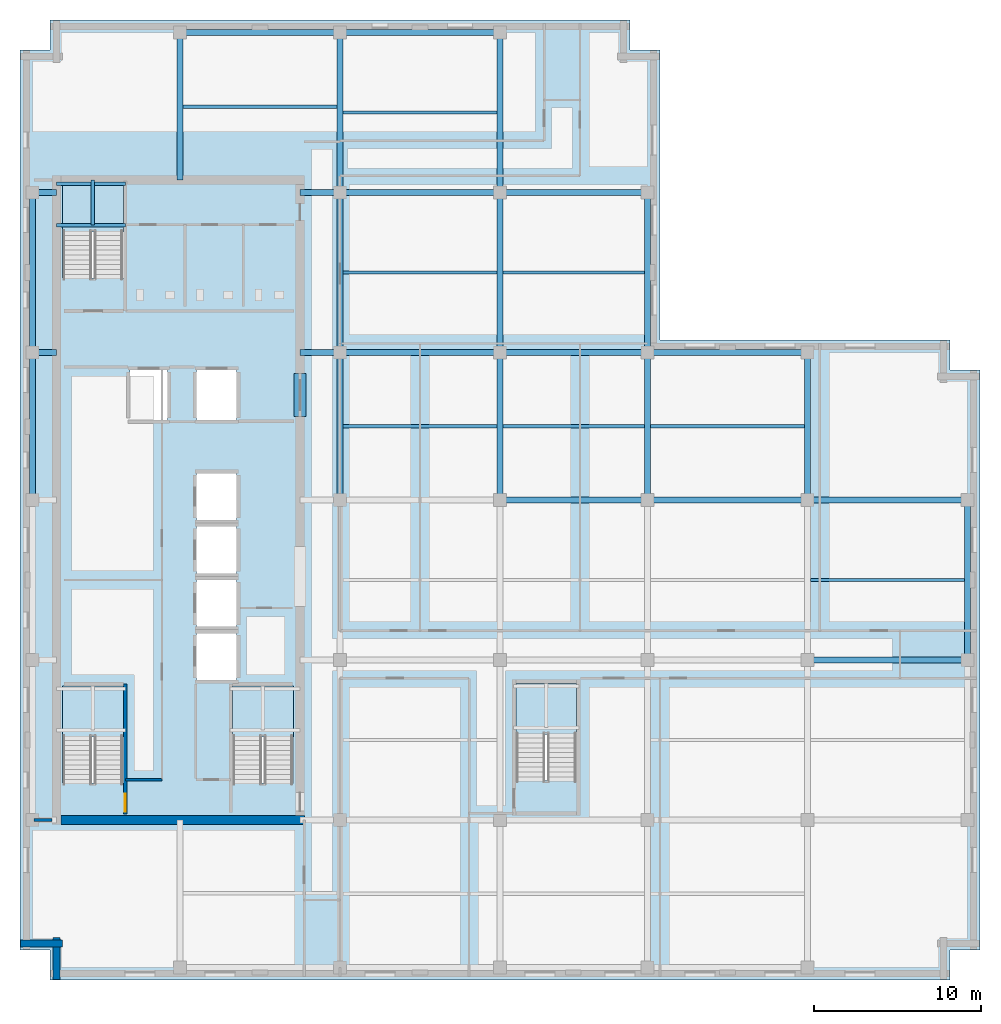
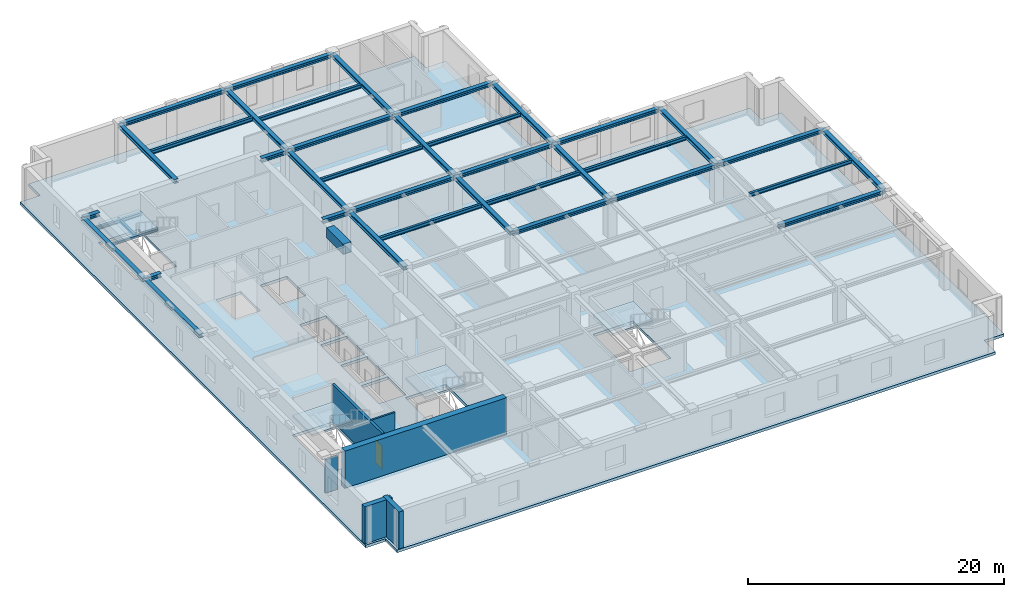
# One storey, part 2 of 10: 40 beams, 6 walls, 5 slabs, 1 door, 1 opening, 4 elements without a shape of their own.
"""IFC4 building model written with IfcOpenShell, lengths in metres."""

from ifc_helpers import new_model, si_unit, direction, frame, frame_2d, origin, origin_2d, place, context, subcontext, project, spatial, polyline, rectangle, i_section, outline, extrude, material, layer, layer_set, material_profile, profile_set, type_object, element, fill, aggregate, save


model = new_model("IFC4")

# Units and contexts
model_context = context("Model", 3, precision=1e-05, world=origin(), true_north=direction((0.0, 1.0)))
body_context = subcontext(model_context, "Body", "Model", "MODEL_VIEW")
ifc_project = project(units=[si_unit("LENGTHUNIT", "METRE"), si_unit("AREAUNIT", "SQUARE_METRE"), si_unit("VOLUMEUNIT", "CUBIC_METRE"), si_unit("PLANEANGLEUNIT", "RADIAN"), si_unit("MASSUNIT", "GRAM", prefix="KILO")], contexts=[model_context])

# Site, building, storey
site_placement = place(None, origin())
site = spatial("IfcSite", under=ifc_project, at=site_placement, CompositionType="ELEMENT")
building_placement = place(site_placement, origin())
building = spatial("IfcBuilding", under=site, at=building_placement, Name="Norrvale University Quadrangle", CompositionType="ELEMENT")
storey_placement = place(building_placement, frame((0.0, 0.0, 229.39990234375)))
storey = spatial("IfcBuildingStorey", under=building, at=storey_placement, Name="L58", CompositionType="ELEMENT", Elevation=229.39990234375)

# Beams
ifc_material_1 = material(Name="Concrete C80/95", Category="concrete")
ifc_material_profile_1 = material_profile(ifc_material_1, rectangle(XDim=0.699951171875, YDim=0.949951171875, at=origin_2d()), Name="Concrete C80/95")
ifc_profile_set_1 = profile_set([ifc_material_profile_1], Name="Concrete C80/95")
beam_type_1 = type_object("IfcBeamType", Name="Beam Core Link 700x950", PredefinedType="LINTEL", material=ifc_profile_set_1)
beam_1_placement = place(storey_placement, frame((16.800048828125, 33.800048828125, 3.065185546875), z_axis=(0.0, 1.0, 0.0), x_axis=(-1.0, 0.0, 0.0)))
element("IfcBeam", 1, at=beam_1_placement, inside=storey, type_object=beam_type_1, Name="Core Coupling Lintel Beam L58-2", PredefinedType="LINTEL", context=body_context, shape_type="SweptSolid", body=[
    extrude(rectangle(XDim=0.699951171875, YDim=0.949951171875, at=origin_2d()), origin(), (0.0, 0.0, 1.0), 2.599853515625),
])
ifc_material_2 = material(Name="Steel 350W", Category="steel")
ifc_material_profile_2 = material_profile(ifc_material_2, i_section(OverallWidth=0.368896484375, OverallDepth=0.35595703125, WebThickness=0.01123046875, FlangeThickness=0.01806640625, FilletRadius=0.014892578125, at=origin_2d()), Name="Steel 350W")
ifc_profile_set_2 = profile_set([ifc_material_profile_2], Name="Steel 350W")
beam_type_2 = type_object("IfcBeamType", Name="Beam Crown W360x134", PredefinedType="BEAM", material=ifc_profile_set_2)
beam_2_placement = place(storey_placement, frame((47.25, 19.199951171875, 3.362060546875), z_axis=(1.0, 0.0, 0.0), x_axis=(0.0, 1.0, 0.0)))
element("IfcBeam", 2, at=beam_2_placement, inside=storey, type_object=beam_type_2, Name="Beam Crown W360x134 BM-L58-GX012", PredefinedType="BEAM", context=body_context, shape_type="SweptSolid", body=[
    extrude(i_section(OverallWidth=0.368896484375, OverallDepth=0.35595703125, WebThickness=0.01123046875, FlangeThickness=0.01806640625, FilletRadius=0.014892578125, at=origin_2d()), origin(), (0.0, 0.0, 1.0), 9.60009765625),
])
beam_3_placement = place(storey_placement, frame((28.800048828125, 28.800048828125, 3.362060546875), z_axis=(1.0, 0.0, 0.0), x_axis=(0.0, 1.0, 0.0)))
element("IfcBeam", 3, at=beam_3_placement, inside=storey, type_object=beam_type_2, Name="Beam Crown W360x134 BM-L58-GX014", PredefinedType="BEAM", context=body_context, shape_type="SweptSolid", body=[
    extrude(i_section(OverallWidth=0.368896484375, OverallDepth=0.35595703125, WebThickness=0.01123046875, FlangeThickness=0.01806640625, FilletRadius=0.014892578125, at=origin_2d()), origin(), (0.0, 0.0, 1.0), 8.849853515625),
])
for number, where, z_axis, x_axis, name in (
    (4, (37.64990234375, 28.800048828125, 3.362060546875), (1.0, 0.0, 0.0), (0.0, 1.0, 0.0), "Beam Crown W360x134 BM-L58-GX015"),
    (5, (47.25, 28.800048828125, 3.362060546875), (1.0, 0.0, 0.0), (0.0, 1.0, 0.0), "Beam Crown W360x134 BM-L58-GX016"),
    (6, (19.199951171875, 37.64990234375, 3.362060546875), (1.0, 0.0, 0.0), (0.0, 1.0, 0.0), "Beam Crown W360x134 BM-L58-GX017"),
):
    element("IfcBeam", number, at=place(storey_placement, frame(where, z_axis=z_axis, x_axis=x_axis)), inside=storey, type_object=beam_type_2, Name=name, PredefinedType="BEAM", context=body_context, shape_type="SweptSolid", body=[
        extrude(i_section(OverallWidth=0.368896484375, OverallDepth=0.35595703125, WebThickness=0.01123046875, FlangeThickness=0.01806640625, FilletRadius=0.014892578125, at=origin_2d()), origin(), (0.0, 0.0, 1.0), 9.60009765625),
    ])
beam_4_placement = place(storey_placement, frame((28.800048828125, 37.64990234375, 3.362060546875), z_axis=(1.0, 0.0, 0.0), x_axis=(0.0, 1.0, 0.0)))
element("IfcBeam", 7, at=beam_4_placement, inside=storey, type_object=beam_type_2, Name="Beam Crown W360x134 BM-L58-GX018", PredefinedType="BEAM", context=body_context, shape_type="SweptSolid", body=[
    extrude(i_section(OverallWidth=0.368896484375, OverallDepth=0.35595703125, WebThickness=0.01123046875, FlangeThickness=0.01806640625, FilletRadius=0.014892578125, at=origin_2d()), origin(), (0.0, 0.0, 1.0), 8.849853515625),
])
for number, where, z_axis, x_axis, name in (
    (8, (37.64990234375, 37.64990234375, 3.362060546875), (1.0, 0.0, 0.0), (0.0, 1.0, 0.0), "Beam Crown W360x134 BM-L58-GX019"),
    (9, (19.199951171875, 47.25, 3.362060546875), (1.0, 0.0, 0.0), (0.0, 1.0, 0.0), "Beam Crown W360x134 BM-L58-GX020"),
):
    element("IfcBeam", number, at=place(storey_placement, frame(where, z_axis=z_axis, x_axis=x_axis)), inside=storey, type_object=beam_type_2, Name=name, PredefinedType="BEAM", context=body_context, shape_type="SweptSolid", body=[
        extrude(i_section(OverallWidth=0.368896484375, OverallDepth=0.35595703125, WebThickness=0.01123046875, FlangeThickness=0.01806640625, FilletRadius=0.014892578125, at=origin_2d()), origin(), (0.0, 0.0, 1.0), 9.60009765625),
    ])
beam_5_placement = place(storey_placement, frame((28.800048828125, 47.25, 3.362060546875), z_axis=(1.0, 0.0, 0.0), x_axis=(0.0, 1.0, 0.0)))
element("IfcBeam", 10, at=beam_5_placement, inside=storey, type_object=beam_type_2, Name="Beam Crown W360x134 BM-L58-GX021", PredefinedType="BEAM", context=body_context, shape_type="SweptSolid", body=[
    extrude(i_section(OverallWidth=0.368896484375, OverallDepth=0.35595703125, WebThickness=0.01123046875, FlangeThickness=0.01806640625, FilletRadius=0.014892578125, at=origin_2d()), origin(), (0.0, 0.0, 1.0), 8.849853515625),
])
beam_6_placement = place(storey_placement, frame((9.60009765625, 56.85009765625, 3.362060546875), z_axis=(1.0, 0.0, 0.0), x_axis=(0.0, 1.0, 0.0)))
element("IfcBeam", 11, at=beam_6_placement, inside=storey, type_object=beam_type_2, Name="Beam Crown W360x134 BM-L58-GX022", PredefinedType="BEAM", context=body_context, shape_type="SweptSolid", body=[
    extrude(i_section(OverallWidth=0.368896484375, OverallDepth=0.35595703125, WebThickness=0.01123046875, FlangeThickness=0.01806640625, FilletRadius=0.014892578125, at=origin_2d()), origin(), (0.0, 0.0, 1.0), 9.599853515625),
])
beam_7_placement = place(storey_placement, frame((19.199951171875, 56.85009765625, 3.362060546875), z_axis=(1.0, 0.0, 0.0), x_axis=(0.0, 1.0, 0.0)))
element("IfcBeam", 12, at=beam_7_placement, inside=storey, type_object=beam_type_2, Name="Beam Crown W360x134 BM-L58-GX023", PredefinedType="BEAM", context=body_context, shape_type="SweptSolid", body=[
    extrude(i_section(OverallWidth=0.368896484375, OverallDepth=0.35595703125, WebThickness=0.01123046875, FlangeThickness=0.01806640625, FilletRadius=0.014892578125, at=origin_2d()), origin(), (0.0, 0.0, 1.0), 9.60009765625),
])
beam_8_placement = place(storey_placement, frame((0.75, 28.800048828125, 3.362060546875), z_axis=(0.0, 1.0, 0.0), x_axis=(-1.0, 0.0, 0.0)))
element("IfcBeam", 13, at=beam_8_placement, inside=storey, type_object=beam_type_2, Name="Beam Crown W360x134 BM-L58-GY026", PredefinedType="BEAM", context=body_context, shape_type="SweptSolid", body=[
    extrude(i_section(OverallWidth=0.368896484375, OverallDepth=0.35595703125, WebThickness=0.01123046875, FlangeThickness=0.01806640625, FilletRadius=0.014892578125, at=origin_2d()), origin(), (0.0, 0.0, 1.0), 8.849853515625),
])
beam_9_placement = place(storey_placement, frame((0.75, 37.64990234375, 3.362060546875), z_axis=(0.0, 1.0, 0.0), x_axis=(-1.0, 0.0, 0.0)))
element("IfcBeam", 14, at=beam_9_placement, inside=storey, type_object=beam_type_2, Name="Beam Crown W360x134 BM-L58-GY027", PredefinedType="BEAM", context=body_context, shape_type="SweptSolid", body=[
    extrude(i_section(OverallWidth=0.368896484375, OverallDepth=0.35595703125, WebThickness=0.01123046875, FlangeThickness=0.01806640625, FilletRadius=0.014892578125, at=origin_2d()), origin(), (0.0, 0.0, 1.0), 9.60009765625),
])
beam_10_placement = place(storey_placement, frame((19.199951171875, 28.800048828125, 3.362060546875), z_axis=(0.0, 1.0, 0.0), x_axis=(-1.0, 0.0, 0.0)))
element("IfcBeam", 15, at=beam_10_placement, inside=storey, type_object=beam_type_2, Name="Beam Crown W360x134 BM-L58-GY031", PredefinedType="BEAM", context=body_context, shape_type="SweptSolid", body=[
    extrude(i_section(OverallWidth=0.368896484375, OverallDepth=0.35595703125, WebThickness=0.01123046875, FlangeThickness=0.01806640625, FilletRadius=0.014892578125, at=origin_2d()), origin(), (0.0, 0.0, 1.0), 8.849853515625),
])
for number, where, z_axis, x_axis, name in (
    (16, (19.199951171875, 37.64990234375, 3.362060546875), (0.0, 1.0, 0.0), (-1.0, 0.0, 0.0), "Beam Crown W360x134 BM-L58-GY032"),
    (17, (19.199951171875, 47.25, 3.362060546875), (0.0, 1.0, 0.0), (-1.0, 0.0, 0.0), "Beam Crown W360x134 BM-L58-GY033"),
):
    element("IfcBeam", number, at=place(storey_placement, frame(where, z_axis=z_axis, x_axis=x_axis)), inside=storey, type_object=beam_type_2, Name=name, PredefinedType="BEAM", context=body_context, shape_type="SweptSolid", body=[
        extrude(i_section(OverallWidth=0.368896484375, OverallDepth=0.35595703125, WebThickness=0.01123046875, FlangeThickness=0.01806640625, FilletRadius=0.014892578125, at=origin_2d()), origin(), (0.0, 0.0, 1.0), 9.60009765625),
    ])
beam_11_placement = place(storey_placement, frame((28.800048828125, 28.800048828125, 3.362060546875), z_axis=(0.0, 1.0, 0.0), x_axis=(-1.0, 0.0, 0.0)))
element("IfcBeam", 18, at=beam_11_placement, inside=storey, type_object=beam_type_2, Name="Beam Crown W360x134 BM-L58-GY037", PredefinedType="BEAM", context=body_context, shape_type="SweptSolid", body=[
    extrude(i_section(OverallWidth=0.368896484375, OverallDepth=0.35595703125, WebThickness=0.01123046875, FlangeThickness=0.01806640625, FilletRadius=0.014892578125, at=origin_2d()), origin(), (0.0, 0.0, 1.0), 8.849853515625),
])
for number, where, z_axis, x_axis, name in (
    (19, (28.800048828125, 37.64990234375, 3.362060546875), (0.0, 1.0, 0.0), (-1.0, 0.0, 0.0), "Beam Crown W360x134 BM-L58-GY038"),
    (20, (28.800048828125, 47.25, 3.362060546875), (0.0, 1.0, 0.0), (-1.0, 0.0, 0.0), "Beam Crown W360x134 BM-L58-GY039"),
):
    element("IfcBeam", number, at=place(storey_placement, frame(where, z_axis=z_axis, x_axis=x_axis)), inside=storey, type_object=beam_type_2, Name=name, PredefinedType="BEAM", context=body_context, shape_type="SweptSolid", body=[
        extrude(i_section(OverallWidth=0.368896484375, OverallDepth=0.35595703125, WebThickness=0.01123046875, FlangeThickness=0.01806640625, FilletRadius=0.014892578125, at=origin_2d()), origin(), (0.0, 0.0, 1.0), 9.60009765625),
    ])
beam_12_placement = place(storey_placement, frame((37.64990234375, 28.800048828125, 3.362060546875), z_axis=(0.0, 1.0, 0.0), x_axis=(-1.0, 0.0, 0.0)))
element("IfcBeam", 21, at=beam_12_placement, inside=storey, type_object=beam_type_2, Name="Beam Crown W360x134 BM-L58-GY043", PredefinedType="BEAM", context=body_context, shape_type="SweptSolid", body=[
    extrude(i_section(OverallWidth=0.368896484375, OverallDepth=0.35595703125, WebThickness=0.01123046875, FlangeThickness=0.01806640625, FilletRadius=0.014892578125, at=origin_2d()), origin(), (0.0, 0.0, 1.0), 8.849853515625),
])
beam_13_placement = place(storey_placement, frame((37.64990234375, 37.64990234375, 3.362060546875), z_axis=(0.0, 1.0, 0.0), x_axis=(-1.0, 0.0, 0.0)))
element("IfcBeam", 22, at=beam_13_placement, inside=storey, type_object=beam_type_2, Name="Beam Crown W360x134 BM-L58-GY044", PredefinedType="BEAM", context=body_context, shape_type="SweptSolid", body=[
    extrude(i_section(OverallWidth=0.368896484375, OverallDepth=0.35595703125, WebThickness=0.01123046875, FlangeThickness=0.01806640625, FilletRadius=0.014892578125, at=origin_2d()), origin(), (0.0, 0.0, 1.0), 9.60009765625),
])
beam_14_placement = place(storey_placement, frame((47.25, 28.800048828125, 3.362060546875), z_axis=(0.0, 1.0, 0.0), x_axis=(-1.0, 0.0, 0.0)))
element("IfcBeam", 23, at=beam_14_placement, inside=storey, type_object=beam_type_2, Name="Beam Crown W360x134 BM-L58-GY048", PredefinedType="BEAM", context=body_context, shape_type="SweptSolid", body=[
    extrude(i_section(OverallWidth=0.368896484375, OverallDepth=0.35595703125, WebThickness=0.01123046875, FlangeThickness=0.01806640625, FilletRadius=0.014892578125, at=origin_2d()), origin(), (0.0, 0.0, 1.0), 8.849853515625),
])
beam_15_placement = place(storey_placement, frame((56.85009765625, 19.199951171875, 3.362060546875), z_axis=(0.0, 1.0, 0.0), x_axis=(-1.0, 0.0, 0.0)))
element("IfcBeam", 24, at=beam_15_placement, inside=storey, type_object=beam_type_2, Name="Beam Crown W360x134 BM-L58-GY050", PredefinedType="BEAM", context=body_context, shape_type="SweptSolid", body=[
    extrude(i_section(OverallWidth=0.368896484375, OverallDepth=0.35595703125, WebThickness=0.01123046875, FlangeThickness=0.01806640625, FilletRadius=0.014892578125, at=origin_2d()), origin(), (0.0, 0.0, 1.0), 9.60009765625),
])
beam_16_placement = place(storey_placement, frame((0.75, 37.64990234375, 3.362060546875), z_axis=(1.0, 0.0, 0.0), x_axis=(0.0, 1.0, 0.0)))
element("IfcBeam", 25, at=beam_16_placement, inside=storey, type_object=beam_type_2, Name="Beam Crown W360x134 BM-L58-GCW057", PredefinedType="BEAM", context=body_context, shape_type="SweptSolid", body=[
    extrude(i_section(OverallWidth=0.368896484375, OverallDepth=0.35595703125, WebThickness=0.01123046875, FlangeThickness=0.01806640625, FilletRadius=0.014892578125, at=origin_2d()), origin(), (0.0, 0.0, 1.0), 1.449951171875),
])
beam_17_placement = place(storey_placement, frame((16.800048828125, 37.64990234375, 3.362060546875), z_axis=(1.0, 0.0, 0.0), x_axis=(0.0, 1.0, 0.0)))
element("IfcBeam", 26, at=beam_17_placement, inside=storey, type_object=beam_type_2, Name="Beam Crown W360x134 BM-L58-GCE058", PredefinedType="BEAM", context=body_context, shape_type="SweptSolid", body=[
    extrude(i_section(OverallWidth=0.368896484375, OverallDepth=0.35595703125, WebThickness=0.01123046875, FlangeThickness=0.01806640625, FilletRadius=0.014892578125, at=origin_2d()), origin(), (0.0, 0.0, 1.0), 2.39990234375),
])
beam_18_placement = place(storey_placement, frame((0.75, 47.25, 3.362060546875), z_axis=(1.0, 0.0, 0.0), x_axis=(0.0, 1.0, 0.0)))
element("IfcBeam", 27, at=beam_18_placement, inside=storey, type_object=beam_type_2, Name="Beam Crown W360x134 BM-L58-GCW059", PredefinedType="BEAM", context=body_context, shape_type="SweptSolid", body=[
    extrude(i_section(OverallWidth=0.368896484375, OverallDepth=0.35595703125, WebThickness=0.01123046875, FlangeThickness=0.01806640625, FilletRadius=0.014892578125, at=origin_2d()), origin(), (0.0, 0.0, 1.0), 1.449951171875),
])
beam_19_placement = place(storey_placement, frame((16.800048828125, 47.25, 3.362060546875), z_axis=(1.0, 0.0, 0.0), x_axis=(0.0, 1.0, 0.0)))
element("IfcBeam", 28, at=beam_19_placement, inside=storey, type_object=beam_type_2, Name="Beam Crown W360x134 BM-L58-GCE060", PredefinedType="BEAM", context=body_context, shape_type="SweptSolid", body=[
    extrude(i_section(OverallWidth=0.368896484375, OverallDepth=0.35595703125, WebThickness=0.01123046875, FlangeThickness=0.01806640625, FilletRadius=0.014892578125, at=origin_2d()), origin(), (0.0, 0.0, 1.0), 2.39990234375),
])
beam_20_placement = place(storey_placement, frame((9.60009765625, 48.0, 3.362060546875), z_axis=(0.0, 1.0, 0.0), x_axis=(-1.0, 0.0, 0.0)))
element("IfcBeam", 29, at=beam_20_placement, inside=storey, type_object=beam_type_2, Name="Beam Crown W360x134 BM-L58-GCN079", PredefinedType="BEAM", context=body_context, shape_type="SweptSolid", body=[
    extrude(i_section(OverallWidth=0.368896484375, OverallDepth=0.35595703125, WebThickness=0.01123046875, FlangeThickness=0.01806640625, FilletRadius=0.014892578125, at=origin_2d()), origin(), (0.0, 0.0, 1.0), 8.85009765625),
])
ifc_material_profile_3 = material_profile(ifc_material_2, i_section(OverallWidth=0.205078125, OverallDepth=0.35400390625, WebThickness=0.009521484375, FlangeThickness=0.016845703125, FilletRadius=0.011962890625, at=origin_2d()), Name="Steel 350W")
ifc_profile_set_3 = profile_set([ifc_material_profile_3], Name="Steel 350W")
beam_type_3 = type_object("IfcBeamType", Name="Beam Crown W360x79", PredefinedType="BEAM", material=ifc_profile_set_3)
for number, where, z_axis, x_axis, name in (
    (30, (19.384521484375, 33.22509765625, 3.363037109375), (1.0, 0.0, 0.0), (0.0, 1.0, 0.0), "Beam Crown W360x79 BM-L58-J064"),
    (31, (19.384521484375, 42.449951171875, 3.363037109375), (1.0, 0.0, 0.0), (0.0, 1.0, 0.0), "Beam Crown W360x79 BM-L58-J065"),
    (32, (19.384521484375, 52.050048828125, 3.363037109375), (1.0, 0.0, 0.0), (0.0, 1.0, 0.0), "Beam Crown W360x79 BM-L58-J066"),
):
    element("IfcBeam", number, at=place(storey_placement, frame(where, z_axis=z_axis, x_axis=x_axis)), inside=storey, type_object=beam_type_3, Name=name, PredefinedType="BEAM", context=body_context, shape_type="SweptSolid", body=[
        extrude(i_section(OverallWidth=0.205078125, OverallDepth=0.35400390625, WebThickness=0.009521484375, FlangeThickness=0.016845703125, FilletRadius=0.011962890625, at=origin_2d()), origin(), (0.0, 0.0, 1.0), 9.23095703125),
    ])
for number, where, z_axis, x_axis, name in (
    (33, (28.984619140625, 33.22509765625, 3.363037109375), (1.0, 0.0, 0.0), (0.0, 1.0, 0.0), "Beam Crown W360x79 BM-L58-J069"),
    (34, (28.984619140625, 42.449951171875, 3.363037109375), (1.0, 0.0, 0.0), (0.0, 1.0, 0.0), "Beam Crown W360x79 BM-L58-J070"),
):
    element("IfcBeam", number, at=place(storey_placement, frame(where, z_axis=z_axis, x_axis=x_axis)), inside=storey, type_object=beam_type_3, Name=name, PredefinedType="BEAM", context=body_context, shape_type="SweptSolid", body=[
        extrude(i_section(OverallWidth=0.205078125, OverallDepth=0.35400390625, WebThickness=0.009521484375, FlangeThickness=0.016845703125, FilletRadius=0.011962890625, at=origin_2d()), origin(), (0.0, 0.0, 1.0), 8.48095703125),
    ])
for number, where, z_axis, x_axis, name in (
    (35, (37.83447265625, 33.22509765625, 3.363037109375), (1.0, 0.0, 0.0), (0.0, 1.0, 0.0), "Beam Crown W360x79 BM-L58-J074"),
    (36, (47.4345703125, 24.0, 3.363037109375), (1.0, 0.0, 0.0), (0.0, 1.0, 0.0), "Beam Crown W360x79 BM-L58-J076"),
    (37, (9.784423828125, 52.39990234375, 3.363037109375), (1.0, 0.0, 0.0), (0.0, 1.0, 0.0), "Beam Crown W360x79 BM-L58-JCN080"),
):
    element("IfcBeam", number, at=place(storey_placement, frame(where, z_axis=z_axis, x_axis=x_axis)), inside=storey, type_object=beam_type_3, Name=name, PredefinedType="BEAM", context=body_context, shape_type="SweptSolid", body=[
        extrude(i_section(OverallWidth=0.205078125, OverallDepth=0.35400390625, WebThickness=0.009521484375, FlangeThickness=0.016845703125, FilletRadius=0.011962890625, at=origin_2d()), origin(), (0.0, 0.0, 1.0), 9.23095703125),
    ])
ifc_material_profile_4 = material_profile(ifc_material_2, i_section(OverallWidth=0.201904296875, OverallDepth=0.2470703125, WebThickness=0.00732421875, FlangeThickness=0.010986328125, FilletRadius=0.011962890625, at=origin_2d()), Name="Steel 350W")
ifc_profile_set_4 = profile_set([ifc_material_profile_4], Name="Steel 350W")
beam_type_4 = type_object("IfcBeamType", Name="Beam Stair W250x49", PredefinedType="BEAM", material=ifc_profile_set_4)
for number, where, z_axis, x_axis, name in (
    (38, (2.199951171875, 45.2900390625, 1.57666015625), (1.0, 0.0, 0.0), (0.0, 1.0, 0.0), "Stair Mid-Landing Front Beam ST-02 L58"),
    (39, (2.199951171875, 47.77001953125, 1.57666015625), (1.0, 0.0, 0.0), (0.0, 1.0, 0.0), "Stair Mid-Landing Rear Beam ST-02 L58"),
):
    element("IfcBeam", number, at=place(storey_placement, frame(where, z_axis=z_axis, x_axis=x_axis)), inside=storey, type_object=beam_type_4, Name=name, PredefinedType="BEAM", context=body_context, shape_type="SweptSolid", body=[
        extrude(i_section(OverallWidth=0.201904296875, OverallDepth=0.2470703125, WebThickness=0.00732421875, FlangeThickness=0.010986328125, FilletRadius=0.011962890625, at=origin_2d()), origin(), (0.0, 0.0, 1.0), 4.14013671875),
    ])
ifc_material_profile_5 = material_profile(ifc_material_2, i_section(OverallWidth=0.202880859375, OverallDepth=0.202880859375, WebThickness=0.007080078125, FlangeThickness=0.010986328125, FilletRadius=0.010009765625, at=origin_2d()), Name="Steel 350W")
ifc_profile_set_5 = profile_set([ifc_material_profile_5], Name="Steel 350W")
beam_type_5 = type_object("IfcBeamType", Name="Beam Trim W200x46", PredefinedType="BEAM", material=ifc_profile_set_5)
beam_21_placement = place(storey_placement, frame((4.375, 45.2900390625, 1.5986328125), z_axis=(0.0, 1.0, 0.0), x_axis=(-1.0, 0.0, 0.0)))
element("IfcBeam", 40, at=beam_21_placement, inside=storey, type_object=beam_type_5, Name="Stair Mid-Landing Cross Beam ST-02 L58", PredefinedType="BEAM", context=body_context, shape_type="SweptSolid", body=[
    extrude(i_section(OverallWidth=0.202880859375, OverallDepth=0.202880859375, WebThickness=0.007080078125, FlangeThickness=0.010986328125, FilletRadius=0.010009765625, at=origin_2d()), origin(), (0.0, 0.0, 1.0), 2.7099609375),
])

# Stair, slab
ifc_material_3 = material(Name="Concrete C40/50", Category="concrete")
stair_type = type_object("IfcStairType", Name="Stair Tower Typ 3800", PredefinedType="TWO_STRAIGHT_RUN_STAIR", material=ifc_material_3)
stair_1_placement = place(storey_placement, origin())
stair_1 = element("IfcStair", 41, at=stair_1_placement, inside=storey, type_object=stair_type, Name="Exit Stair ST-01 L58", PredefinedType="TWO_STRAIGHT_RUN_STAIR")
ifc_layer_1 = layer(ifc_material_3, 0.199951171875, Name="Concrete C40/50")
ifc_layer_set_1 = layer_set([ifc_layer_1], Name="Concrete C40/50")
slab_type_1 = type_object("IfcSlabType", Name="Slab Landing 200", PredefinedType="LANDING", material=ifc_layer_set_1)
slab_1_placement = place(storey_placement, frame((0.0, 0.0, 1.7001953125)))
slab_1 = element("IfcSlab", 42, at=slab_1_placement, type_object=slab_type_1, Name="Exit Stair ST-01 L58 Mid Landing", PredefinedType="LANDING", context=body_context, shape_type="SweptSolid", body=[
    extrude(outline(polyline([(2.550048828125, 14.590087890625), (6.199951171875, 14.590087890625), (6.199951171875, 17.64990234375), (2.550048828125, 17.64990234375), (2.550048828125, 14.590087890625)])), origin(), (0.0, 0.0, 1.0), 0.199951171875),
])
aggregate(stair_1, [slab_1])

stair_2_placement = place(storey_placement, origin())
stair_2 = element("IfcStair", 43, at=stair_2_placement, inside=storey, type_object=stair_type, Name="Exit Stair ST-02 L58", PredefinedType="TWO_STRAIGHT_RUN_STAIR")
slab_2_placement = place(storey_placement, frame((0.0, 0.0, 1.7001953125)))
slab_2 = element("IfcSlab", 44, at=slab_2_placement, type_object=slab_type_1, Name="Exit Stair ST-02 L58 Mid Landing", PredefinedType="LANDING", context=body_context, shape_type="SweptSolid", body=[
    extrude(outline(polyline([(2.550048828125, 44.889892578125), (6.199951171875, 44.889892578125), (6.199951171875, 47.949951171875), (2.550048828125, 47.949951171875), (2.550048828125, 44.889892578125)])), origin(), (0.0, 0.0, 1.0), 0.199951171875),
])
aggregate(stair_2, [slab_2])

stair_3_placement = place(storey_placement, origin())
stair_3 = element("IfcStair", 45, at=stair_3_placement, inside=storey, type_object=stair_type, Name="Exit Stair ST-03 L58", PredefinedType="TWO_STRAIGHT_RUN_STAIR")
slab_3_placement = place(storey_placement, frame((0.0, 0.0, 1.7001953125)))
slab_3 = element("IfcSlab", 46, at=slab_3_placement, type_object=slab_type_1, Name="Exit Stair ST-03 L58 Mid Landing", PredefinedType="LANDING", context=body_context, shape_type="SweptSolid", body=[
    extrude(outline(polyline([(12.75, 14.590087890625), (16.39990234375, 14.590087890625), (16.39990234375, 17.64990234375), (12.75, 17.64990234375), (12.75, 14.590087890625)])), origin(), (0.0, 0.0, 1.0), 0.199951171875),
])
aggregate(stair_3, [slab_3])

stair_4_placement = place(storey_placement, origin())
stair_4 = element("IfcStair", 47, at=stair_4_placement, inside=storey, type_object=stair_type, Name="Exit Stair ST-04 L58", PredefinedType="TWO_STRAIGHT_RUN_STAIR")
slab_4_placement = place(storey_placement, frame((0.0, 0.0, 1.7001953125)))
slab_4 = element("IfcSlab", 48, at=slab_4_placement, type_object=slab_type_1, Name="Exit Stair ST-04 L58 Mid Landing", PredefinedType="LANDING", context=body_context, shape_type="SweptSolid", body=[
    extrude(outline(polyline([(29.75, 14.739990234375), (33.39990234375, 14.739990234375), (33.39990234375, 17.800048828125), (29.75, 17.800048828125), (29.75, 14.739990234375)])), origin(), (0.0, 0.0, 1.0), 0.199951171875),
])
aggregate(stair_4, [slab_4])

# Slab
ifc_layer_2 = layer(ifc_material_3, 0.260009765625, Name="Concrete C40/50")
ifc_layer_set_2 = layer_set([ifc_layer_2], Name="Concrete C40/50")
slab_type_2 = type_object("IfcSlabType", Name="Slab Tower Typ 260", PredefinedType="FLOOR", material=ifc_layer_set_2)
slab_5_placement = place(storey_placement, frame((0.0, 0.0, -0.260009765625)))
element("IfcSlab", 49, at=slab_5_placement, inside=storey, type_object=slab_type_2, Name="Tower L58 Floor Slab", PredefinedType="FLOOR", context=body_context, shape_type="SweptSolid", body=[
    extrude(outline(polyline([(1.800048828125, 0.0), (55.800048828125, 0.0), (55.800048828125, 1.800048828125), (57.60009765625, 1.800048828125), (57.60009765625, 36.60009765625), (55.800048828125, 36.60009765625), (55.800048828125, 38.39990234375), (38.39990234375, 38.39990234375), (38.39990234375, 55.800048828125), (36.60009765625, 55.800048828125), (36.60009765625, 57.60009765625), (1.800048828125, 57.60009765625), (1.800048828125, 55.800048828125), (0.0, 55.800048828125), (0.0, 1.800048828125), (1.800048828125, 1.800048828125), (1.800048828125, 0.0)]), holes=[polyline([(2.550048828125, 11.81005859375), (6.199951171875, 11.81005859375), (6.199951171875, 17.64990234375), (2.550048828125, 17.64990234375), (2.550048828125, 11.81005859375)]), polyline([(2.550048828125, 42.110107421875), (6.199951171875, 42.110107421875), (6.199951171875, 47.949951171875), (2.550048828125, 47.949951171875), (2.550048828125, 42.110107421875)]), polyline([(12.75, 11.81005859375), (16.39990234375, 11.81005859375), (16.39990234375, 17.64990234375), (12.75, 17.64990234375), (12.75, 11.81005859375)]), polyline([(29.75, 11.9599609375), (33.39990234375, 11.9599609375), (33.39990234375, 17.800048828125), (29.75, 17.800048828125), (29.75, 11.9599609375)]), polyline([(10.60009765625, 18.0), (13.0, 18.0), (13.0, 20.800048828125), (10.60009765625, 20.800048828125), (10.60009765625, 18.0)]), polyline([(10.60009765625, 21.199951171875), (13.0, 21.199951171875), (13.0, 24.0), (10.60009765625, 24.0), (10.60009765625, 21.199951171875)]), polyline([(10.60009765625, 24.39990234375), (13.0, 24.39990234375), (13.0, 27.199951171875), (10.60009765625, 27.199951171875), (10.60009765625, 24.39990234375)]), polyline([(10.60009765625, 27.60009765625), (13.0, 27.60009765625), (13.0, 30.39990234375), (10.60009765625, 30.39990234375), (10.60009765625, 27.60009765625)]), polyline([(6.60009765625, 33.60009765625), (8.85009765625, 33.60009765625), (8.85009765625, 36.60009765625), (6.60009765625, 36.60009765625), (6.60009765625, 33.60009765625)]), polyline([(10.60009765625, 33.60009765625), (13.0, 33.60009765625), (13.0, 36.60009765625), (10.60009765625, 36.60009765625), (10.60009765625, 33.60009765625)])]), origin(), (0.0, 0.0, 1.0), 0.260009765625),
])

# Walls
ifc_material_4 = material(Name="Buff Norman Clay Brick Masonry", Category="masonry")
ifc_layer_3 = layer(ifc_material_4, 0.419921875, Name="Buff Norman Clay Brick Masonry")
ifc_layer_set_3 = layer_set([ifc_layer_3], Name="Buff Norman Clay Brick Masonry")
wall_type_1 = type_object("IfcWallType", Name="Wall Buff Brick 420", PredefinedType="SOLIDWALL", material=ifc_layer_set_3)
for number, where, z_axis, x_axis, name in (
    (50, (0.0400390625, 2.18994140625, 0.0), (0.0, 0.0, 1.0), (1.0, 0.0, 0.0), "Exterior Brick Facade Wall L58-15.1"),
    (51, (2.18994140625, 2.5400390625, 0.0), (0.0, 0.0, 1.0), (0.0, -1.0, 0.0), "Exterior Brick Facade Wall L58-16.1"),
):
    element("IfcWall", number, at=place(storey_placement, frame(where, z_axis=z_axis, x_axis=x_axis)), inside=storey, type_object=wall_type_1, Name=name, PredefinedType="SOLIDWALL", context=body_context, shape_type="SweptSolid", body=[
        extrude(rectangle(XDim=2.5, YDim=0.419921875, at=frame_2d((1.25, 0.0))), origin(), (0.0, 0.0, 1.0), 3.5400390625),
    ])
ifc_material_5 = material(Name="Concrete C60/75", Category="concrete")
ifc_layer_4 = layer(ifc_material_5, 0.550048828125, Name="Concrete C60/75")
ifc_layer_set_4 = layer_set([ifc_layer_4], Name="Concrete C60/75")
wall_type_2 = type_object("IfcWallType", Name="Wall Core 550", PredefinedType="SHEAR", material=ifc_layer_set_4)
wall_1_placement = place(storey_placement, frame((2.47509765625, 9.60009765625, 0.0), z_axis=(0.0, 0.0, 1.0), x_axis=(1.0, 0.0, 0.0)))
element("IfcWall", 52, at=wall_1_placement, inside=storey, type_object=wall_type_2, Name="Tower Core Shear Wall L58-S", PredefinedType="SHEAR", context=body_context, shape_type="SweptSolid", body=[
    extrude(rectangle(XDim=14.599853515625, YDim=0.550048828125, at=frame_2d((7.2998046875, 0.0))), origin(), (0.0, 0.0, 1.0), 3.5400390625),
])
ifc_material_6 = material(Name="Fire-Rated Gypsum Stud Partition")
ifc_layer_5 = layer(ifc_material_6, 0.14990234375, Name="Fire-Rated Gypsum Stud Partition")
ifc_layer_set_5 = layer_set([ifc_layer_5], Name="Fire-Rated Gypsum Stud Partition")
wall_type_3 = type_object("IfcWallType", Name="Wall Gypsum Corridor 150", PredefinedType="PARTITIONING", material=ifc_layer_set_5)
wall_2_placement = place(storey_placement, frame((6.320068359375, 12.02001953125, 0.0), z_axis=(0.0, 0.0, 1.0), x_axis=(1.0, 0.0, 0.0)))
element("IfcWall", 53, at=wall_2_placement, inside=storey, type_object=wall_type_3, Name="Interior Partition WL-L58-REC-S", PredefinedType="PARTITIONING", context=body_context, shape_type="SweptSolid", body=[
    extrude(rectangle(XDim=2.199951171875, YDim=0.14990234375, at=frame_2d((1.10009765625, 0.0))), origin(), (0.0, 0.0, 1.0), 3.5400390625),
])
ifc_material_7 = material(Name="Concrete Blockwork 20 MPa Rated Wall", Category="masonry")
ifc_layer_6 = layer(ifc_material_7, 0.199951171875, Name="Concrete Blockwork 20 MPa Rated Wall")
ifc_layer_set_6 = layer_set([ifc_layer_6], Name="Concrete Blockwork 20 MPa Rated Wall")
wall_type_4 = type_object("IfcWallType", Name="Wall Lobby 200", PredefinedType="SOLIDWALL", material=ifc_layer_set_6)
wall_3_placement = place(storey_placement, frame((0.85009765625, 9.60009765625, 0.0), z_axis=(0.0, 0.0, 1.0), x_axis=(1.0, 0.0, 0.0)))
element("IfcWall", 54, at=wall_3_placement, inside=storey, type_object=wall_type_4, Name="Interior Partition WL-L58-CWRET-S", PredefinedType="SOLIDWALL", context=body_context, shape_type="SweptSolid", body=[
    extrude(rectangle(XDim=1.06982421875, YDim=0.199951171875, at=frame_2d((0.534912109375, 0.0))), origin(), (0.0, 0.0, 1.0), 3.18408203125),
])

# Wall, opening, door
ifc_material_8 = material(Name="Concrete Blockwork 20 MPa Fire Shaft", Category="masonry")
ifc_layer_7 = layer(ifc_material_8, 0.219970703125, Name="Concrete Blockwork 20 MPa Fire Shaft")
ifc_layer_set_7 = layer_set([ifc_layer_7], Name="Concrete Blockwork 20 MPa Fire Shaft")
wall_type_5 = type_object("IfcWallType", Name="Wall Shaft 220", PredefinedType="SOLIDWALL", material=ifc_layer_set_7)
wall_4_placement = place(storey_placement, frame((6.31005859375, 9.949951171875, 0.0), z_axis=(0.0, 0.0, 1.0), x_axis=(0.0, 1.0, 0.0)))
wall_4 = element("IfcWall", 55, at=wall_4_placement, inside=storey, type_object=wall_type_5, Name="Stair ST-01 East Shaft Wall L58", PredefinedType="SOLIDWALL", context=body_context, shape_type="SweptSolid", body=[
    extrude(rectangle(XDim=7.81005859375, YDim=0.219970703125, at=frame_2d((3.905029296875, 0.0))), origin(), (0.0, 0.0, 1.0), 3.5400390625),
])
opening_placement = place(wall_4_placement, frame((0.139892578125, 0.0, 0.0)))
opening = element("IfcOpeningElement", 56, at=opening_placement, cuts=wall_4, Name="Opening D02", PredefinedType="OPENING", context=body_context, shape_type="SweptSolid", body=[
    extrude(rectangle(XDim=1.10009765625, YDim=2.199951171875, at=frame_2d((0.550048828125, 1.10009765625))), frame((0.0, 0.1220703125, 0.0), z_axis=(0.0, -1.0, 0.0), x_axis=(1.0, 0.0, 0.0)), (0.0, 0.0, 1.0), 0.243896484375),
])
ifc_material_9 = material(Name="Hollow Steel 350W Fire Door", Category="steel")
door_type = type_object("IfcDoorType", Name="Door Stair Exit 1100x2200", OperationType="NOTDEFINED", PredefinedType="DOOR", material=ifc_material_9)
door_placement = place(opening_placement, origin())
door = element("IfcDoor", 57, at=door_placement, inside=storey, type_object=door_type, Name="Door Stair Exit 1100x2200 DR-L58-ST01", OperationType="SINGLE_SWING_LEFT", OverallHeight=2.199951171875, OverallWidth=1.10009765625, PredefinedType="DOOR", context=body_context, shape_type="SweptSolid", body=[
    extrude(rectangle(XDim=1.10009765625, YDim=2.199951171875, at=frame_2d((0.550048828125, 1.10009765625))), frame((0.0, 0.02490234375, 0.0), z_axis=(0.0, -1.0, 0.0), x_axis=(1.0, 0.0, 0.0)), (0.0, 0.0, 1.0), 0.050048828125),
])
fill(opening, door)

save(model, "model.ifc")
